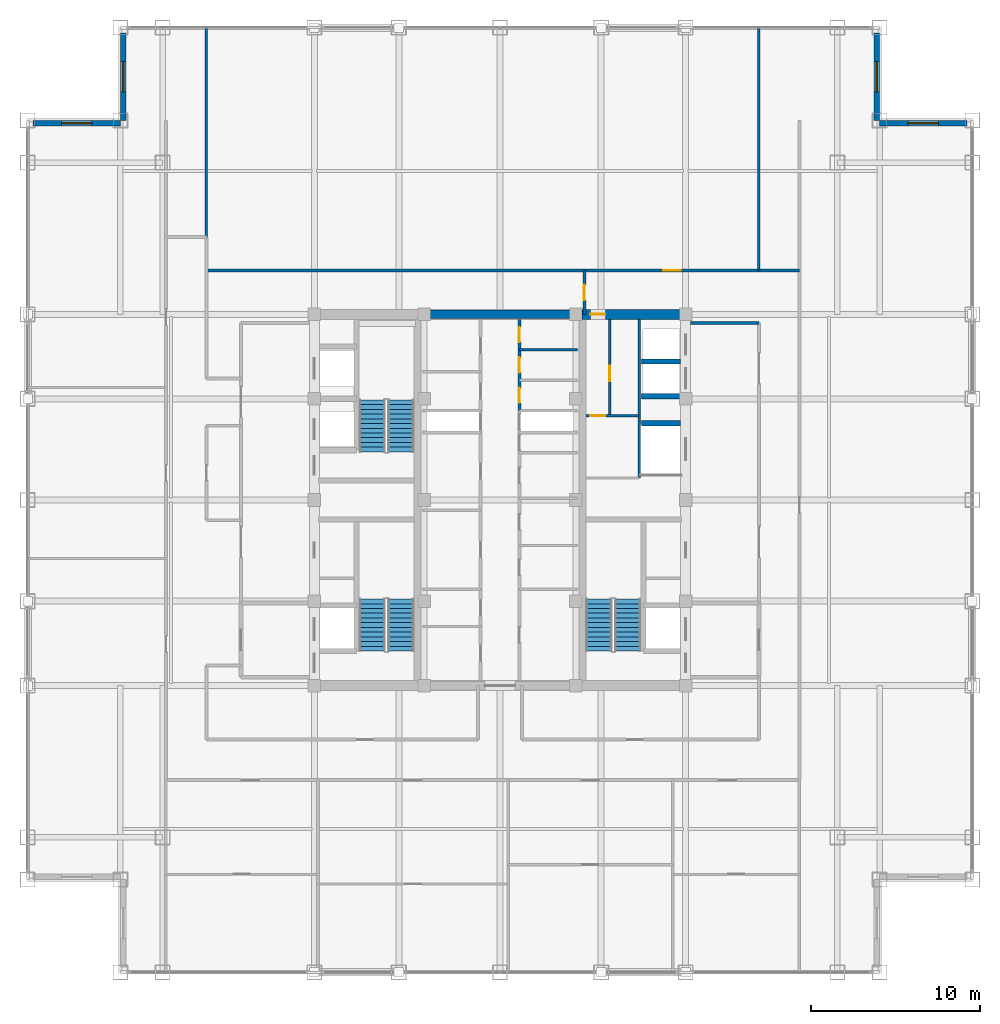
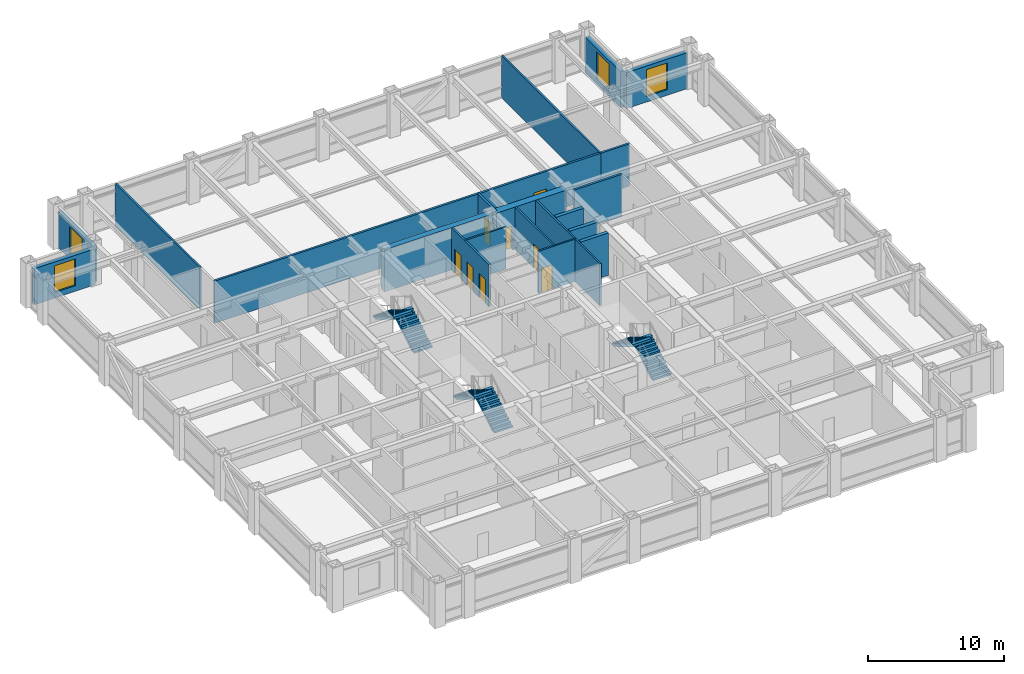
# One storey, part 21 of 22: 20 walls, 8 doors, 6 stair flights, 4 windows, 12 openings, 3 elements without a shape of their own.
"""IFC4 building model written with IfcOpenShell, lengths in metres."""

from ifc_helpers import new_model, si_unit, direction, frame, frame_2d, origin, place, context, subcontext, project, spatial, polyline, rectangle, outline, extrude, source, transform, mapped, material, layer, layer_set, type_object, element, fill, aggregate, save


model = new_model("IFC4")

# Units and contexts
model_context = context("Model", 3, precision=1e-05, world=origin(), true_north=direction((0.0, 1.0)))
body_context = subcontext(model_context, "Body", "Model", "MODEL_VIEW")
ifc_project = project(units=[si_unit("LENGTHUNIT", "METRE"), si_unit("AREAUNIT", "SQUARE_METRE"), si_unit("VOLUMEUNIT", "CUBIC_METRE"), si_unit("PLANEANGLEUNIT", "RADIAN"), si_unit("MASSUNIT", "GRAM", prefix="KILO")], contexts=[model_context])

# Site, building, storey
site_placement = place(None, origin())
site = spatial("IfcSite", under=ifc_project, at=site_placement, CompositionType="ELEMENT")
building_placement = place(site_placement, origin())
building = spatial("IfcBuilding", under=site, at=building_placement, Name="Khorayat Bourse Tower", CompositionType="ELEMENT")
storey_placement = place(building_placement, frame((0.0, 0.0, 293.5)))
storey = spatial("IfcBuildingStorey", under=building, at=storey_placement, Name="L69", CompositionType="ELEMENT", Elevation=293.5)

# Wall, opening, door
ifc_material_1 = material(Name="Concrete C60/75", Category="concrete")
ifc_layer_1 = layer(ifc_material_1, 0.60009765625)
ifc_layer_set_1 = layer_set([ifc_layer_1], Name="Concrete C60/75")
wall_type_1 = type_object("IfcWallType", Name="WAL-CORE-600", PredefinedType="SHEAR", material=ifc_layer_set_1)
shared_shape_1 = source(origin(), body_context, "Body", "SweptSolid", [
    extrude(rectangle(XDim=5.89990234375, YDim=0.60009765625, at=frame_2d((2.949951171875, 0.0))), origin(), (0.0, 0.0, 1.0), 3.780029296875),
])
wall_1_placement = place(storey_placement, frame((4.85009765625, 11.0, 0.0), z_axis=(0.0, 0.0, 1.0), x_axis=(1.0, 0.0, 0.0)))
wall_1 = element("IfcWall", 1, at=wall_1_placement, inside=storey, type_object=wall_type_1, Name="L69 Core Shear Wall PIER-EN", PredefinedType="SHEAR", context=body_context, shape_type="MappedRepresentation", body=[
    mapped(shared_shape_1, transform((0.0, 0.0, 0.0), scale=1.0)),
])
shared_shape_2 = source(origin(), body_context, "Body", "SweptSolid", [
    extrude(rectangle(XDim=0.89990234375, YDim=2.14990234375, at=frame_2d((0.449951171875, 1.074951171875))), frame((0.0, 0.31005859375, 0.0), z_axis=(0.0, -1.0, 0.0), x_axis=(1.0, 0.0, 0.0)), (0.0, 0.0, 1.0), 0.6201171875),
])
opening_1_placement = place(wall_1_placement, frame((0.5, 0.0, 0.0)))
opening_1 = element("IfcOpeningElement", 2, at=opening_1_placement, cuts=wall_1, Name="Opening DI-06", PredefinedType="OPENING", context=body_context, shape_type="MappedRepresentation", body=[
    mapped(shared_shape_2, transform((0.0, 0.0, 0.0), scale=1.0)),
])
ifc_material_2 = material(Name="Moisture-resistant laminate washroom door")
door_type_1 = type_object("IfcDoorType", Name="DR-INT-WC-900", OperationType="NOTDEFINED", PredefinedType="DOOR", material=ifc_material_2)
shared_shape_3 = source(origin(), body_context, "Body", "SweptSolid", [
    extrude(rectangle(XDim=0.89990234375, YDim=2.14990234375, at=frame_2d((0.449951171875, 1.074951171875))), frame((0.0, 0.02490234375, 0.0), z_axis=(0.0, -1.0, 0.0), x_axis=(1.0, 0.0, 0.0)), (0.0, 0.0, 1.0), 0.050048828125),
])
door_1_placement = place(opening_1_placement, origin())
door_1 = element("IfcDoor", 3, at=door_1_placement, inside=storey, type_object=door_type_1, Name="L69 Core Washroom Lobby Door", OperationType="SINGLE_SWING_LEFT", OverallHeight=2.14990234375, OverallWidth=0.89990234375, PredefinedType="DOOR", context=body_context, shape_type="MappedRepresentation", body=[
    mapped(shared_shape_3, transform((0.0, 0.0, 0.0), scale=1.0)),
])
fill(opening_1, door_1)

# Wall
ifc_material_3 = material(Name="Concrete C52/65", Category="concrete")
ifc_layer_2 = layer(ifc_material_3, 0.5)
ifc_layer_set_2 = layer_set([ifc_layer_2], Name="Concrete C52/65")
wall_type_2 = type_object("IfcWallType", Name="WAL-CORE-500", PredefinedType="SHEAR", material=ifc_layer_set_2)
shared_shape_4 = source(origin(), body_context, "Body", "SweptSolid", [
    extrude(rectangle(XDim=9.2001953125, YDim=0.5, at=frame_2d((4.60009765625, 0.0))), origin(), (0.0, 0.0, 1.0), 3.780029296875),
])
wall_2_placement = place(storey_placement, frame((-4.60009765625, 11.0, 0.0), z_axis=(0.0, 0.0, 1.0), x_axis=(1.0, 0.0, 0.0)))
element("IfcWall", 4, at=wall_2_placement, inside=storey, type_object=wall_type_2, Name="L69 Core Shear Wall CORE-N", PredefinedType="SHEAR", context=body_context, shape_type="MappedRepresentation", body=[
    mapped(shared_shape_4, transform((0.0, 0.0, 0.0), scale=1.0)),
])

# Wall, opening, window
ifc_material_4 = material(Name="Precast concrete C45/55", Category="concrete")
ifc_layer_3 = layer(ifc_material_4, 0.320068359375)
ifc_layer_set_3 = layer_set([ifc_layer_3], Name="Precast concrete C45/55")
wall_type_3 = type_object("IfcWallType", Name="WAL-EXT-STONE-320", PredefinedType="STANDARD", material=ifc_layer_set_3)
shared_shape_5 = source(origin(), body_context, "Body", "SweptSolid", [
    extrude(rectangle(XDim=5.179931640625, YDim=0.320068359375, at=frame_2d((2.58984375, 0.0))), origin(), (0.0, 0.0, 1.0), 3.23095703125),
])
wall_3_placement = place(storey_placement, frame((22.5, 22.340087890625, 0.0), z_axis=(0.0, 0.0, 1.0), x_axis=(1.0, 0.0, 0.0)))
wall_3 = element("IfcWall", 5, at=wall_3_placement, inside=storey, type_object=wall_type_3, Name="L69 Re-Entrant Notch Limestone Wall NE-H", PredefinedType="STANDARD", context=body_context, shape_type="MappedRepresentation", body=[
    mapped(shared_shape_5, transform((0.0, 0.0, 0.0), scale=1.0)),
])
shared_shape_6 = source(origin(), body_context, "Body", "SweptSolid", [
    extrude(rectangle(XDim=1.800048828125, YDim=2.39990234375, at=frame_2d((0.89990234375, 1.199951171875))), frame((0.0, 0.169921875, 0.0), z_axis=(0.0, -1.0, 0.0), x_axis=(1.0, 0.0, 0.0)), (0.0, 0.0, 1.0), 0.340087890625),
])
opening_2_placement = place(wall_3_placement, frame((1.68994140625, 0.0, 0.5)))
opening_2 = element("IfcOpeningElement", 6, at=opening_2_placement, cuts=wall_3, Name="Opening WN-04", PredefinedType="OPENING", context=body_context, shape_type="MappedRepresentation", body=[
    mapped(shared_shape_6, transform((0.0, 0.0, 0.0), scale=1.0)),
])
ifc_material_5 = material(Name="Low-E acoustic laminated double glazing", Category="glass")
window_type = type_object("IfcWindowType", Name="WIN-NOTCH-1800x2400", PartitioningType="SINGLE_PANEL", PredefinedType="WINDOW", material=ifc_material_5)
shared_shape_7 = source(origin(), body_context, "Body", "SweptSolid", [
    extrude(rectangle(XDim=1.800048828125, YDim=2.39990234375, at=frame_2d((0.89990234375, 1.199951171875))), frame((0.0, 0.030029296875, 0.0), z_axis=(0.0, -1.0, 0.0), x_axis=(1.0, 0.0, 0.0)), (0.0, 0.0, 1.0), 0.06005859375),
])
window_1_placement = place(opening_2_placement, origin())
window_1 = element("IfcWindow", 7, at=window_1_placement, inside=storey, type_object=window_type, Name="L69 Facade Window 1", OverallHeight=2.39990234375, OverallWidth=1.800048828125, PartitioningType="SINGLE_PANEL", PredefinedType="WINDOW", context=body_context, shape_type="MappedRepresentation", body=[
    mapped(shared_shape_7, transform((0.0, 0.0, 0.0), scale=1.0)),
])
fill(opening_2, window_1)

wall_4_placement = place(storey_placement, frame((22.340087890625, 22.5, 0.0), z_axis=(0.0, 0.0, 1.0), x_axis=(0.0, 1.0, 0.0)))
wall_4 = element("IfcWall", 8, at=wall_4_placement, inside=storey, type_object=wall_type_3, Name="L69 Re-Entrant Notch Limestone Wall NE-V", PredefinedType="STANDARD", context=body_context, shape_type="MappedRepresentation", body=[
    mapped(shared_shape_5, transform((0.0, 0.0, 0.0), scale=1.0)),
])
opening_3_placement = place(wall_4_placement, frame((1.68994140625, 0.0, 0.5)))
opening_3 = element("IfcOpeningElement", 9, at=opening_3_placement, cuts=wall_4, Name="Opening WN-04", PredefinedType="OPENING", context=body_context, shape_type="MappedRepresentation", body=[
    mapped(shared_shape_6, transform((0.0, 0.0, 0.0), scale=1.0)),
])
window_2_placement = place(opening_3_placement, origin())
window_2 = element("IfcWindow", 10, at=window_2_placement, inside=storey, type_object=window_type, Name="L69 Facade Window 1", OverallHeight=2.39990234375, OverallWidth=1.800048828125, PartitioningType="SINGLE_PANEL", PredefinedType="WINDOW", context=body_context, shape_type="MappedRepresentation", body=[
    mapped(shared_shape_7, transform((0.0, 0.0, 0.0), scale=1.0)),
])
fill(opening_3, window_2)

wall_5_placement = place(storey_placement, frame((-22.340087890625, 22.5, 0.0), z_axis=(0.0, 0.0, 1.0), x_axis=(0.0, 1.0, 0.0)))
wall_5 = element("IfcWall", 11, at=wall_5_placement, inside=storey, type_object=wall_type_3, Name="L69 Re-Entrant Notch Limestone Wall NW-V", PredefinedType="STANDARD", context=body_context, shape_type="MappedRepresentation", body=[
    mapped(shared_shape_5, transform((0.0, 0.0, 0.0), scale=1.0)),
])
opening_4_placement = place(wall_5_placement, frame((1.68994140625, 0.0, 0.5)))
opening_4 = element("IfcOpeningElement", 12, at=opening_4_placement, cuts=wall_5, Name="Opening WN-04", PredefinedType="OPENING", context=body_context, shape_type="MappedRepresentation", body=[
    mapped(shared_shape_6, transform((0.0, 0.0, 0.0), scale=1.0)),
])
window_3_placement = place(opening_4_placement, origin())
window_3 = element("IfcWindow", 13, at=window_3_placement, inside=storey, type_object=window_type, Name="L69 Facade Window 1", OverallHeight=2.39990234375, OverallWidth=1.800048828125, PartitioningType="SINGLE_PANEL", PredefinedType="WINDOW", context=body_context, shape_type="MappedRepresentation", body=[
    mapped(shared_shape_7, transform((0.0, 0.0, 0.0), scale=1.0)),
])
fill(opening_4, window_3)

wall_6_placement = place(storey_placement, frame((-22.5, 22.340087890625, 0.0), z_axis=(0.0, 0.0, 1.0), x_axis=(-1.0, 0.0, 0.0)))
wall_6 = element("IfcWall", 14, at=wall_6_placement, inside=storey, type_object=wall_type_3, Name="L69 Re-Entrant Notch Limestone Wall NW-H", PredefinedType="STANDARD", context=body_context, shape_type="MappedRepresentation", body=[
    mapped(shared_shape_5, transform((0.0, 0.0, 0.0), scale=1.0)),
])
opening_5_placement = place(wall_6_placement, frame((1.68994140625, 0.0, 0.5)))
opening_5 = element("IfcOpeningElement", 15, at=opening_5_placement, cuts=wall_6, Name="Opening WN-04", PredefinedType="OPENING", context=body_context, shape_type="MappedRepresentation", body=[
    mapped(shared_shape_6, transform((0.0, 0.0, 0.0), scale=1.0)),
])
window_4_placement = place(opening_5_placement, origin())
window_4 = element("IfcWindow", 16, at=window_4_placement, inside=storey, type_object=window_type, Name="L69 Facade Window 1", OverallHeight=2.39990234375, OverallWidth=1.800048828125, PartitioningType="SINGLE_PANEL", PredefinedType="WINDOW", context=body_context, shape_type="MappedRepresentation", body=[
    mapped(shared_shape_7, transform((0.0, 0.0, 0.0), scale=1.0)),
])
fill(opening_5, window_4)

# Walls
ifc_material_6 = material(Name="Concrete C50/60", Category="concrete")
ifc_layer_4 = layer(ifc_material_6, 0.300048828125)
ifc_layer_set_4 = layer_set([ifc_layer_4], Name="Concrete C50/60")
wall_type_4 = type_object("IfcWallType", Name="WAL-SHAFT-300", PredefinedType="SHEAR", material=ifc_layer_set_4)
shared_shape_8 = source(origin(), body_context, "Body", "SweptSolid", [
    extrude(rectangle(XDim=2.300048828125, YDim=0.300048828125, at=frame_2d((1.14990234375, 0.0))), origin(), (0.0, 0.0, 1.0), 3.780029296875),
])
for number, where, z_axis, x_axis, name in (
    (17, (8.39990234375, 4.550048828125, 0.0), (0.0, 0.0, 1.0), (1.0, 0.0, 0.0), "L69 Partition WAL-L69-EPIER-SVLN"),
    (18, (8.39990234375, 6.14990234375, 0.0), (0.0, 0.0, 1.0), (1.0, 0.0, 0.0), "L69 Partition WAL-L69-EPIER-H3S"),
    (19, (8.39990234375, 8.199951171875, 0.0), (0.0, 0.0, 1.0), (1.0, 0.0, 0.0), "L69 Partition WAL-L69-EPIER-H34"),
):
    element("IfcWall", number, at=place(storey_placement, frame(where, z_axis=z_axis, x_axis=x_axis)), inside=storey, type_object=wall_type_4, Name=name, PredefinedType="SHEAR", context=body_context, shape_type="MappedRepresentation", body=[
        mapped(shared_shape_8, transform((0.0, 0.0, 0.0), scale=1.0)),
    ])
ifc_material_7 = material(Name="Moisture-resistant masonry partition", Category="masonry")
ifc_layer_5 = layer(ifc_material_7, 0.139892578125)
ifc_layer_set_5 = layer_set([ifc_layer_5], Name="Moisture-resistant masonry partition")
wall_type_5 = type_object("IfcWallType", Name="WAL-PART-WET-140", PredefinedType="PARTITIONING", material=ifc_layer_set_5)
shared_shape_9 = source(origin(), body_context, "Body", "SweptSolid", [
    extrude(rectangle(XDim=9.39990234375, YDim=0.139892578125, at=frame_2d((4.699951171875, 0.0))), origin(), (0.0, 0.0, 1.0), 3.780029296875),
])
wall_7_placement = place(storey_placement, frame((8.25, 1.300048828125, 0.0), z_axis=(0.0, 0.0, 1.0), x_axis=(0.0, 1.0, 0.0)))
element("IfcWall", 20, at=wall_7_placement, inside=storey, type_object=wall_type_5, Name="L69 Partition WAL-L69-ECORE-E", PredefinedType="PARTITIONING", context=body_context, shape_type="MappedRepresentation", body=[
    mapped(shared_shape_9, transform((0.0, 0.0, 0.0), scale=1.0)),
])

# Wall, opening, door
shared_shape_10 = source(origin(), body_context, "Body", "SweptSolid", [
    extrude(rectangle(XDim=3.14990234375, YDim=0.139892578125, at=frame_2d((1.574951171875, 0.0))), origin(), (0.0, 0.0, 1.0), 3.780029296875),
])
wall_8_placement = place(storey_placement, frame((5.10009765625, 5.0, 0.0), z_axis=(0.0, 0.0, 1.0), x_axis=(1.0, 0.0, 0.0)))
wall_8 = element("IfcWall", 21, at=wall_8_placement, inside=storey, type_object=wall_type_5, Name="L69 Partition WAL-L69-ECW-BOT", PredefinedType="PARTITIONING", context=body_context, shape_type="MappedRepresentation", body=[
    mapped(shared_shape_10, transform((0.0, 0.0, 0.0), scale=1.0)),
])
shared_shape_11 = source(origin(), body_context, "Body", "SweptSolid", [
    extrude(rectangle(XDim=0.89990234375, YDim=2.14990234375, at=frame_2d((0.449951171875, 1.074951171875))), frame((0.0, 0.079833984375, 0.0), z_axis=(0.0, -1.0, 0.0), x_axis=(1.0, 0.0, 0.0)), (0.0, 0.0, 1.0), 0.159912109375),
])
opening_6_placement = place(wall_8_placement, frame((0.25, 0.0, 0.0)))
opening_6 = element("IfcOpeningElement", 22, at=opening_6_placement, cuts=wall_8, Name="Opening DI-06", PredefinedType="OPENING", context=body_context, shape_type="MappedRepresentation", body=[
    mapped(shared_shape_11, transform((0.0, 0.0, 0.0), scale=1.0)),
])
door_2_placement = place(opening_6_placement, origin())
door_2 = element("IfcDoor", 23, at=door_2_placement, inside=storey, type_object=door_type_1, Name="L69 Shared Washroom Door", OperationType="SINGLE_SWING_LEFT", OverallHeight=2.14990234375, OverallWidth=0.89990234375, PredefinedType="DOOR", context=body_context, shape_type="MappedRepresentation", body=[
    mapped(shared_shape_3, transform((0.0, 0.0, 0.0), scale=1.0)),
])
fill(opening_6, door_2)

# Wall
ifc_material_8 = material(Name="Gypsum plasterboard acoustic stud wall")
ifc_layer_6 = layer(ifc_material_8, 0.179931640625)
ifc_layer_set_6 = layer_set([ifc_layer_6], Name="Gypsum plasterboard acoustic stud wall")
wall_type_6 = type_object("IfcWallType", Name="WAL-PART-CORR-180", PredefinedType="PARTITIONING", material=ifc_layer_set_6)
shared_shape_12 = source(origin(), body_context, "Body", "SweptSolid", [
    extrude(rectangle(XDim=4.050048828125, YDim=0.179931640625, at=frame_2d((2.02490234375, 0.0))), origin(), (0.0, 0.0, 1.0), 3.780029296875),
])
wall_9_placement = place(storey_placement, frame((11.300048828125, 10.5, 0.0), z_axis=(0.0, 0.0, 1.0), x_axis=(1.0, 0.0, 0.0)))
element("IfcWall", 24, at=wall_9_placement, inside=storey, type_object=wall_type_6, Name="L69 Partition WAL-L69-ELOB-N", PredefinedType="PARTITIONING", context=body_context, shape_type="MappedRepresentation", body=[
    mapped(shared_shape_12, transform((0.0, 0.0, 0.0), scale=1.0)),
])

# Wall, openings, doors
shared_shape_13 = source(origin(), body_context, "Body", "SweptSolid", [
    extrude(rectangle(XDim=5.39990234375, YDim=0.179931640625, at=frame_2d((2.699951171875, 0.0))), origin(), (0.0, 0.0, 1.0), 3.780029296875),
])
wall_10_placement = place(storey_placement, frame((1.14990234375, 5.300048828125, 0.0), z_axis=(0.0, 0.0, 1.0), x_axis=(0.0, 1.0, 0.0)))
wall_10 = element("IfcWall", 25, at=wall_10_placement, inside=storey, type_object=wall_type_6, Name="L69 Partition WAL-L69-FB2E-L", PredefinedType="PARTITIONING", context=body_context, shape_type="MappedRepresentation", body=[
    mapped(shared_shape_13, transform((0.0, 0.0, 0.0), scale=1.0)),
])
shared_shape_14 = source(origin(), body_context, "Body", "SweptSolid", [
    extrude(rectangle(XDim=0.89990234375, YDim=2.14990234375, at=frame_2d((0.449951171875, 1.074951171875))), frame((0.0, 0.099853515625, 0.0), z_axis=(0.0, -1.0, 0.0), x_axis=(1.0, 0.0, 0.0)), (0.0, 0.0, 1.0), 0.199951171875),
])
opening_7_placement = place(wall_10_placement, frame((0.449951171875, 0.0, 0.0)))
opening_7 = element("IfcOpeningElement", 26, at=opening_7_placement, cuts=wall_10, Name="Opening DI-06", PredefinedType="OPENING", context=body_context, shape_type="MappedRepresentation", body=[
    mapped(shared_shape_14, transform((0.0, 0.0, 0.0), scale=1.0)),
])
opening_8_placement = place(wall_10_placement, frame((2.25, 0.0, 0.0)))
opening_8 = element("IfcOpeningElement", 27, at=opening_8_placement, cuts=wall_10, Name="Opening DI-06", PredefinedType="OPENING", context=body_context, shape_type="MappedRepresentation", body=[
    mapped(shared_shape_14, transform((0.0, 0.0, 0.0), scale=1.0)),
])
opening_9_placement = place(wall_10_placement, frame((4.050048828125, 0.0, 0.0)))
opening_9 = element("IfcOpeningElement", 28, at=opening_9_placement, cuts=wall_10, Name="Opening DI-06", PredefinedType="OPENING", context=body_context, shape_type="MappedRepresentation", body=[
    mapped(shared_shape_14, transform((0.0, 0.0, 0.0), scale=1.0)),
])
door_3_placement = place(opening_7_placement, origin())
door_3 = element("IfcDoor", 29, at=door_3_placement, inside=storey, type_object=door_type_1, Name="L69 Linen Store Door", OperationType="SINGLE_SWING_RIGHT", OverallHeight=2.14990234375, OverallWidth=0.89990234375, PredefinedType="DOOR", context=body_context, shape_type="MappedRepresentation", body=[
    mapped(shared_shape_3, transform((0.0, 0.0, 0.0), scale=1.0)),
])
fill(opening_7, door_3)
door_4_placement = place(opening_8_placement, origin())
door_4 = element("IfcDoor", 30, at=door_4_placement, inside=storey, type_object=door_type_1, Name="L69 Sub-Meter Room Door", OperationType="SINGLE_SWING_LEFT", OverallHeight=2.14990234375, OverallWidth=0.89990234375, PredefinedType="DOOR", context=body_context, shape_type="MappedRepresentation", body=[
    mapped(shared_shape_3, transform((0.0, 0.0, 0.0), scale=1.0)),
])
fill(opening_8, door_4)
door_5_placement = place(opening_9_placement, origin())
door_5 = element("IfcDoor", 31, at=door_5_placement, inside=storey, type_object=door_type_1, Name="L69 Records Store Door", OperationType="SINGLE_SWING_RIGHT", OverallHeight=2.14990234375, OverallWidth=0.89990234375, PredefinedType="DOOR", context=body_context, shape_type="MappedRepresentation", body=[
    mapped(shared_shape_3, transform((0.0, 0.0, 0.0), scale=1.0)),
])
fill(opening_9, door_5)

# Wall
shared_shape_15 = source(origin(), body_context, "Body", "SweptSolid", [
    extrude(rectangle(XDim=3.4501953125, YDim=0.139892578125, at=frame_2d((1.72509765625, 0.0))), origin(), (0.0, 0.0, 1.0), 3.780029296875),
])
wall_11_placement = place(storey_placement, frame((1.14990234375, 8.89990234375, 0.0), z_axis=(0.0, 0.0, 1.0), x_axis=(1.0, 0.0, 0.0)))
element("IfcWall", 32, at=wall_11_placement, inside=storey, type_object=wall_type_5, Name="L69 Partition WAL-L69-FB2E-D2", PredefinedType="PARTITIONING", context=body_context, shape_type="MappedRepresentation", body=[
    mapped(shared_shape_15, transform((0.0, 0.0, 0.0), scale=1.0)),
])

# Wall, opening, door
shared_shape_16 = source(origin(), body_context, "Body", "SweptSolid", [
    extrude(rectangle(XDim=2.60009765625, YDim=0.179931640625, at=frame_2d((1.300048828125, 0.0))), origin(), (0.0, 0.0, 1.0), 3.780029296875),
])
wall_12_placement = place(storey_placement, frame((5.0, 11.0, 0.0), z_axis=(0.0, 0.0, 1.0), x_axis=(0.0, 1.0, 0.0)))
wall_12 = element("IfcWall", 33, at=wall_12_placement, inside=storey, type_object=wall_type_6, Name="L69 Partition WAL-L69-CORRNE-W", PredefinedType="PARTITIONING", context=body_context, shape_type="MappedRepresentation", body=[
    mapped(shared_shape_16, transform((0.0, 0.0, 0.0), scale=1.0)),
])
opening_10_placement = place(wall_12_placement, frame((0.85009765625, 0.0, 0.0)))
opening_10 = element("IfcOpeningElement", 34, at=opening_10_placement, cuts=wall_12, Name="Opening DI-06", PredefinedType="OPENING", context=body_context, shape_type="MappedRepresentation", body=[
    mapped(shared_shape_14, transform((0.0, 0.0, 0.0), scale=1.0)),
])
door_6_placement = place(opening_10_placement, origin())
door_6 = element("IfcDoor", 35, at=door_6_placement, inside=storey, type_object=door_type_1, Name="L69 North Core Pantry Door", OperationType="SINGLE_SWING_LEFT", OverallHeight=2.14990234375, OverallWidth=0.89990234375, PredefinedType="DOOR", context=body_context, shape_type="MappedRepresentation", body=[
    mapped(shared_shape_3, transform((0.0, 0.0, 0.0), scale=1.0)),
])
fill(opening_10, door_6)

# Wall
shared_shape_17 = source(origin(), body_context, "Body", "SweptSolid", [
    extrude(rectangle(XDim=2.39990234375, YDim=0.179931640625, at=frame_2d((1.199951171875, 0.0))), origin(), (0.0, 0.0, 1.0), 3.780029296875),
])
wall_13_placement = place(storey_placement, frame((15.35009765625, 13.60009765625, 0.0), z_axis=(0.0, 0.0, 1.0), x_axis=(1.0, 0.0, 0.0)))
element("IfcWall", 36, at=wall_13_placement, inside=storey, type_object=wall_type_6, Name="L69 Partition WAL-L69-GALE-N", PredefinedType="PARTITIONING", context=body_context, shape_type="MappedRepresentation", body=[
    mapped(shared_shape_17, transform((0.0, 0.0, 0.0), scale=1.0)),
])

# Wall, opening, door
shared_shape_18 = source(origin(), body_context, "Body", "SweptSolid", [
    extrude(rectangle(XDim=32.75, YDim=0.179931640625, at=frame_2d((16.375, 0.0))), origin(), (0.0, 0.0, 1.0), 3.780029296875),
])
wall_14_placement = place(storey_placement, frame((-17.39990234375, 13.60009765625, 0.0), z_axis=(0.0, 0.0, 1.0), x_axis=(1.0, 0.0, 0.0)))
wall_14 = element("IfcWall", 37, at=wall_14_placement, inside=storey, type_object=wall_type_6, Name="L69 Partition WAL-L69-NCORR", PredefinedType="PARTITIONING", context=body_context, shape_type="MappedRepresentation", body=[
    mapped(shared_shape_18, transform((0.0, 0.0, 0.0), scale=1.0)),
])
shared_shape_19 = source(origin(), body_context, "Body", "SweptSolid", [
    extrude(rectangle(XDim=1.050048828125, YDim=2.199951171875, at=frame_2d((0.52490234375, 1.10009765625))), frame((0.0, 0.099853515625, 0.0), z_axis=(0.0, -1.0, 0.0), x_axis=(1.0, 0.0, 0.0)), (0.0, 0.0, 1.0), 0.199951171875),
])
opening_11_placement = place(wall_14_placement, frame((27.074951171875, 0.0, 0.0)))
opening_11 = element("IfcOpeningElement", 38, at=opening_11_placement, cuts=wall_14, Name="Opening DI-04", PredefinedType="OPENING", context=body_context, shape_type="MappedRepresentation", body=[
    mapped(shared_shape_19, transform((0.0, 0.0, 0.0), scale=1.0)),
])
ifc_material_9 = material(Name="Fire-rated oak veneer suite entrance door")
door_type_2 = type_object("IfcDoorType", Name="DR-INT-SUITE-1050", OperationType="NOTDEFINED", PredefinedType="DOOR", material=ifc_material_9)
shared_shape_20 = source(origin(), body_context, "Body", "SweptSolid", [
    extrude(rectangle(XDim=1.050048828125, YDim=2.199951171875, at=frame_2d((0.52490234375, 1.10009765625))), frame((0.0, 0.02490234375, 0.0), z_axis=(0.0, -1.0, 0.0), x_axis=(1.0, 0.0, 0.0)), (0.0, 0.0, 1.0), 0.050048828125),
])
door_7_placement = place(opening_11_placement, origin())
door_7 = element("IfcDoor", 39, at=door_7_placement, inside=storey, type_object=door_type_2, Name="L69 Market Reference Library N1 Door", OperationType="SINGLE_SWING_RIGHT", OverallHeight=2.199951171875, OverallWidth=1.050048828125, PredefinedType="DOOR", context=body_context, shape_type="MappedRepresentation", body=[
    mapped(shared_shape_20, transform((0.0, 0.0, 0.0), scale=1.0)),
])
fill(opening_11, door_7)

# Walls
ifc_material_10 = material(Name="Gypsum plasterboard twin-frame partition")
ifc_layer_7 = layer(ifc_material_10, 0.14990234375)
ifc_layer_set_7 = layer_set([ifc_layer_7], Name="Gypsum plasterboard twin-frame partition")
wall_type_7 = type_object("IfcWallType", Name="WAL-PART-SUITE-150", PredefinedType="PARTITIONING", material=ifc_layer_set_7)
shared_shape_21 = source(origin(), body_context, "Body", "SweptSolid", [
    extrude(rectangle(XDim=12.39990234375, YDim=0.14990234375, at=frame_2d((6.199951171875, 0.0))), origin(), (0.0, 0.0, 1.0), 3.780029296875),
])
wall_15_placement = place(storey_placement, frame((-17.39990234375, 15.60009765625, 0.0), z_axis=(0.0, 0.0, 1.0), x_axis=(0.0, 1.0, 0.0)))
element("IfcWall", 40, at=wall_15_placement, inside=storey, type_object=wall_type_7, Name="L69 Partition WAL-L69-NCW-END", PredefinedType="PARTITIONING", context=body_context, shape_type="MappedRepresentation", body=[
    mapped(shared_shape_21, transform((0.0, 0.0, 0.0), scale=1.0)),
])
shared_shape_22 = source(origin(), body_context, "Body", "SweptSolid", [
    extrude(rectangle(XDim=14.39990234375, YDim=0.14990234375, at=frame_2d((7.199951171875, 0.0))), origin(), (0.0, 0.0, 1.0), 3.780029296875),
])
wall_16_placement = place(storey_placement, frame((15.35009765625, 13.60009765625, 0.0), z_axis=(0.0, 0.0, 1.0), x_axis=(0.0, 1.0, 0.0)))
element("IfcWall", 41, at=wall_16_placement, inside=storey, type_object=wall_type_7, Name="L69 Partition WAL-L69-NCE-END", PredefinedType="PARTITIONING", context=body_context, shape_type="MappedRepresentation", body=[
    mapped(shared_shape_22, transform((0.0, 0.0, 0.0), scale=1.0)),
])

# Wall, opening, door
shared_shape_23 = source(origin(), body_context, "Body", "SweptSolid", [
    extrude(rectangle(XDim=5.699951171875, YDim=0.139892578125, at=frame_2d((2.85009765625, 0.0))), origin(), (0.0, 0.0, 1.0), 3.780029296875),
])
wall_17_placement = place(storey_placement, frame((6.5, 5.0, 0.0), z_axis=(0.0, 0.0, 1.0), x_axis=(0.0, 1.0, 0.0)))
wall_17 = element("IfcWall", 42, at=wall_17_placement, inside=storey, type_object=wall_type_5, Name="L69 Partition WAL-L69-ECW-MID", PredefinedType="PARTITIONING", context=body_context, shape_type="MappedRepresentation", body=[
    mapped(shared_shape_23, transform((0.0, 0.0, 0.0), scale=1.0)),
])
opening_12_placement = place(wall_17_placement, frame((2.050048828125, 0.0, 0.0)))
opening_12 = element("IfcOpeningElement", 43, at=opening_12_placement, cuts=wall_17, Name="Opening DI-06", PredefinedType="OPENING", context=body_context, shape_type="MappedRepresentation", body=[
    mapped(shared_shape_11, transform((0.0, 0.0, 0.0), scale=1.0)),
])
door_8_placement = place(opening_12_placement, origin())
door_8 = element("IfcDoor", 44, at=door_8_placement, inside=storey, type_object=door_type_1, Name="L69 Accessible WC Door", OperationType="SINGLE_SWING_RIGHT", OverallHeight=2.14990234375, OverallWidth=0.89990234375, PredefinedType="DOOR", context=body_context, shape_type="MappedRepresentation", body=[
    mapped(shared_shape_3, transform((0.0, 0.0, 0.0), scale=1.0)),
])
fill(opening_12, door_8)

# Stair, stair flights
ifc_material_11 = material(Name="Concrete C40/50", Category="concrete")
stair_type = type_object("IfcStairType", Name="STR-CORE-1550", PredefinedType="HALF_TURN_STAIR", material=ifc_material_11)
stair_1_placement = place(storey_placement, origin())
stair_1 = element("IfcStair", 45, at=stair_1_placement, inside=storey, type_object=stair_type, Name="L69 Exit Stair ST-1", PredefinedType="HALF_TURN_STAIR")
stair_flight_type = type_object("IfcStairFlightType", Name="FLT-CORE-1550", PredefinedType="STRAIGHT", material=ifc_material_11)
shared_shape_24 = source(origin(), body_context, "Body", "SweptSolid", [
    extrude(outline(polyline([(0.0, 0.0), (0.0, 0.166748046875), (0.280029296875, 0.166748046875), (0.280029296875, 0.333251953125), (0.56005859375, 0.333251953125), (0.56005859375, 0.5), (0.840087890625, 0.5), (0.840087890625, 0.666748046875), (1.1201171875, 0.666748046875), (1.1201171875, 0.833251953125), (1.39990234375, 0.833251953125), (1.39990234375, 1.0), (1.679931640625, 1.0), (1.679931640625, 1.166748046875), (1.9599609375, 1.166748046875), (1.9599609375, 1.333251953125), (2.239990234375, 1.333251953125), (2.239990234375, 1.5), (2.52001953125, 1.5), (2.52001953125, 1.666748046875), (2.800048828125, 1.666748046875), (2.800048828125, 1.833251953125), (3.080078125, 1.833251953125), (3.080078125, 2.0), (3.080078125, 1.6240234375), (0.351806640625, 0.0), (0.0, 0.0)])), frame((0.0, 0.77490234375, 0.0), z_axis=(0.0, -1.0, 0.0), x_axis=(1.0, 0.0, 0.0)), (0.0, 0.0, 1.0), 1.550048828125),
])
stair_flight_1_placement = place(storey_placement, frame((-5.875, -8.949951171875, 0.0), z_axis=(0.0, 0.0, 1.0), x_axis=(0.0, 1.0, 0.0)))
stair_flight_1 = element("IfcStairFlight", 46, at=stair_flight_1_placement, type_object=stair_flight_type, Name="ST-1 flight 1", NumberOfRisers=12, NumberOfTreads=11, PredefinedType="STRAIGHT", RiserHeight=0.166666667, TreadLength=0.28, context=body_context, shape_type="MappedRepresentation", body=[
    mapped(shared_shape_24, transform((0.0, 0.0, 0.0), scale=1.0)),
])
stair_flight_2_placement = place(storey_placement, frame((-7.574951171875, -5.8701171875, 2.0), z_axis=(0.0, 0.0, 1.0), x_axis=(0.0, -1.0, 0.0)))
stair_flight_2 = element("IfcStairFlight", 47, at=stair_flight_2_placement, type_object=stair_flight_type, Name="ST-1 flight 2", NumberOfRisers=12, NumberOfTreads=11, PredefinedType="STRAIGHT", RiserHeight=0.166666667, TreadLength=0.28, context=body_context, shape_type="MappedRepresentation", body=[
    mapped(shared_shape_24, transform((0.0, 0.0, 0.0), scale=1.0)),
])
aggregate(stair_1, [stair_flight_1, stair_flight_2])

stair_2_placement = place(storey_placement, origin())
stair_2 = element("IfcStair", 48, at=stair_2_placement, inside=storey, type_object=stair_type, Name="L69 Exit Stair ST-2", PredefinedType="HALF_TURN_STAIR")
stair_flight_3_placement = place(storey_placement, frame((-5.875, 2.85009765625, 0.0), z_axis=(0.0, 0.0, 1.0), x_axis=(0.0, 1.0, 0.0)))
stair_flight_3 = element("IfcStairFlight", 49, at=stair_flight_3_placement, type_object=stair_flight_type, Name="ST-2 flight 1", NumberOfRisers=12, NumberOfTreads=11, PredefinedType="STRAIGHT", RiserHeight=0.166666667, TreadLength=0.28, context=body_context, shape_type="MappedRepresentation", body=[
    mapped(shared_shape_24, transform((0.0, 0.0, 0.0), scale=1.0)),
])
stair_flight_4_placement = place(storey_placement, frame((-7.574951171875, 5.929931640625, 2.0), z_axis=(0.0, 0.0, 1.0), x_axis=(0.0, -1.0, 0.0)))
stair_flight_4 = element("IfcStairFlight", 50, at=stair_flight_4_placement, type_object=stair_flight_type, Name="ST-2 flight 2", NumberOfRisers=12, NumberOfTreads=11, PredefinedType="STRAIGHT", RiserHeight=0.166666667, TreadLength=0.28, context=body_context, shape_type="MappedRepresentation", body=[
    mapped(shared_shape_24, transform((0.0, 0.0, 0.0), scale=1.0)),
])
aggregate(stair_2, [stair_flight_3, stair_flight_4])

stair_3_placement = place(storey_placement, origin())
stair_3 = element("IfcStair", 51, at=stair_3_placement, inside=storey, type_object=stair_type, Name="L69 Exit Stair ST-3", PredefinedType="HALF_TURN_STAIR")
stair_flight_5_placement = place(storey_placement, frame((7.574951171875, -8.949951171875, 0.0), z_axis=(0.0, 0.0, 1.0), x_axis=(0.0, 1.0, 0.0)))
stair_flight_5 = element("IfcStairFlight", 52, at=stair_flight_5_placement, type_object=stair_flight_type, Name="ST-3 flight 1", NumberOfRisers=12, NumberOfTreads=11, PredefinedType="STRAIGHT", RiserHeight=0.166666667, TreadLength=0.28, context=body_context, shape_type="MappedRepresentation", body=[
    mapped(shared_shape_24, transform((0.0, 0.0, 0.0), scale=1.0)),
])
stair_flight_6_placement = place(storey_placement, frame((5.875, -5.8701171875, 2.0), z_axis=(0.0, 0.0, 1.0), x_axis=(0.0, -1.0, 0.0)))
stair_flight_6 = element("IfcStairFlight", 53, at=stair_flight_6_placement, type_object=stair_flight_type, Name="ST-3 flight 2", NumberOfRisers=12, NumberOfTreads=11, PredefinedType="STRAIGHT", RiserHeight=0.166666667, TreadLength=0.28, context=body_context, shape_type="MappedRepresentation", body=[
    mapped(shared_shape_24, transform((0.0, 0.0, 0.0), scale=1.0)),
])
aggregate(stair_3, [stair_flight_5, stair_flight_6])

save(model, "model.ifc")
